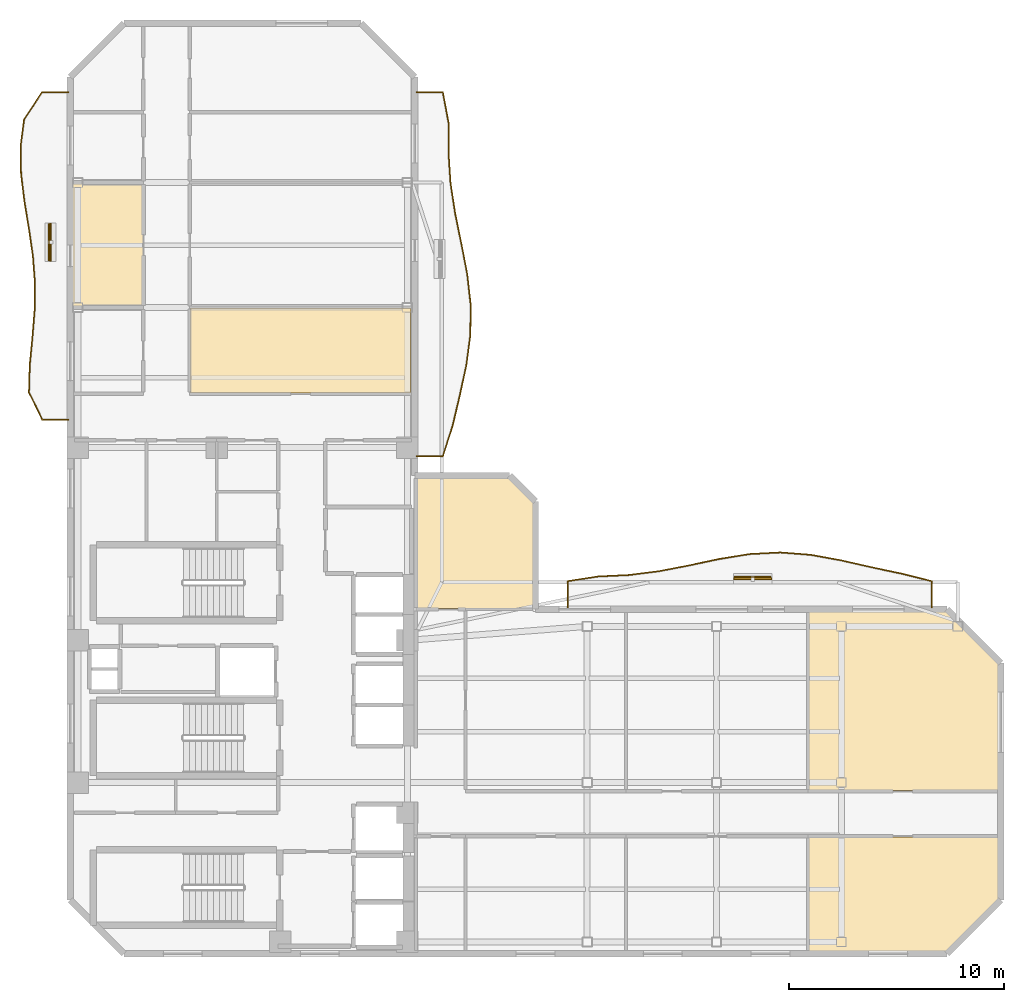
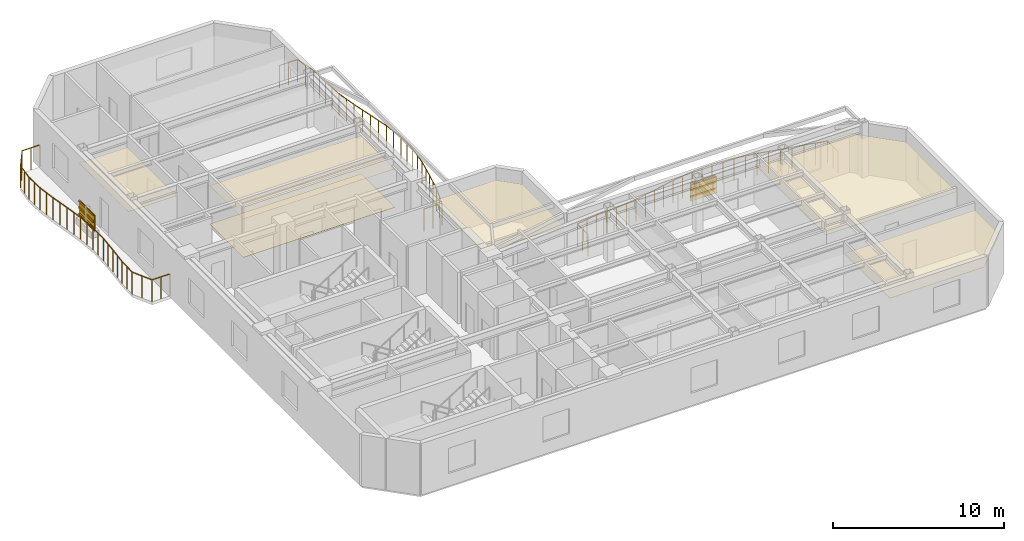
# One storey, part 8 of 9: 8 shading devices, 6 coverings, 3 railings.
"""IFC4 building model written with IfcOpenShell, lengths in metres."""

import ifcopenshell
import ifcopenshell.guid

model = None  # the IFC model being written
_history = None  # IfcOwnerHistory: only IFC2X3 demands one
_inside = {}  # id of a spatial element -> (the spatial element, [elements in it])
_under = {}  # id of a project, library or spatial element -> (it, [spatial elements below it])
_declared = {}  # id of a project -> (the project, [libraries it declares])
_typed = {}  # id of a type object -> (the type object, [elements of that type])
_made_of = {}  # id of a material, layer set ... -> (it, [elements and type objects made of it])


def new_model(schema):
    """Start an empty IFC model of exactly this schema.

    Asked for "IFC4X3", IfcOpenShell would pick the latest addendum, in which some entities
    have other attributes; the version numbers below select the first issue.
    IFC2X3 requires an IfcOwnerHistory on every rooted entity: one is made here for all.
    """
    global model, _history
    if schema == "IFC4X3":
        model = ifcopenshell.file(schema_version=(4, 3, 0, 0))
    else:
        model = ifcopenshell.file(schema=schema)
    _inside.clear()
    _under.clear()
    _declared.clear()
    _typed.clear()
    _made_of.clear()
    _history = None
    if model.schema == "IFC2X3":
        org = make("IfcOrganization", Name="unknown")
        user = make(
            "IfcPersonAndOrganization",
            ThePerson=make("IfcPerson", FamilyName="unknown"),
            TheOrganization=org,
        )
        app = make(
            "IfcApplication",
            ApplicationDeveloper=org,
            Version="unknown",
            ApplicationFullName="unknown",
            ApplicationIdentifier="unknown",
        )
        _history = make(
            "IfcOwnerHistory",
            OwningUser=user,
            OwningApplication=app,
            ChangeAction="ADDED",
            CreationDate=0,
        )
    return model


def make(cls, **values):
    """One entity of the class cls with the attributes given. An attribute that is None is left unset."""
    return model.create_entity(
        cls, **{name: value for name, value in values.items() if value is not None}
    )


def rooted(cls, **values):
    """An entity with a GlobalId (a new one), such as an element, a storey or a relation."""
    return make(cls, GlobalId=ifcopenshell.guid.new(), OwnerHistory=_history, **values)


def si_unit(unit_type, name, prefix=None):
    """IfcSIUnit, for example si_unit("LENGTHUNIT", "METRE", prefix="MILLI")."""
    return make("IfcSIUnit", UnitType=unit_type, Prefix=prefix, Name=name)


def assignment(units):
    """IfcUnitAssignment: the units of a project."""
    return None if units is None else make("IfcUnitAssignment", Units=units)


def point(xyz):
    """IfcCartesianPoint."""
    return None if xyz is None else make("IfcCartesianPoint", Coordinates=xyz)


def direction(xyz):
    """IfcDirection."""
    return None if xyz is None else make("IfcDirection", DirectionRatios=xyz)


def frame(location, z_axis=None, x_axis=None):
    """IfcAxis2Placement3D, a coordinate frame: its origin and axes. An axis left out is left unset."""
    return make(
        "IfcAxis2Placement3D",
        Location=point(location),
        Axis=direction(z_axis),
        RefDirection=direction(x_axis),
    )


def frame_2d(location, x_axis=None):
    """IfcAxis2Placement2D, a coordinate frame in the plane: its origin and x axis."""
    return make(
        "IfcAxis2Placement2D", Location=point(location), RefDirection=direction(x_axis)
    )


def origin():
    """The frame at (0, 0, 0) with its axes left unset."""
    return frame((0.0, 0.0, 0.0))


def origin_2d():
    """The frame at (0, 0) in the plane with its x axis left unset."""
    return frame_2d((0.0, 0.0))


def place(relative_to, where):
    """IfcLocalPlacement: puts the frame where relative to a parent placement (None: the world)."""
    return make(
        "IfcLocalPlacement", PlacementRelTo=relative_to, RelativePlacement=where
    )


def context(
    kind, dimensions, precision=None, world=None, true_north=None, identifier=None
):
    """IfcGeometricRepresentationContext, for example the 3D "Model" context."""
    return make(
        "IfcGeometricRepresentationContext",
        ContextIdentifier=identifier,
        ContextType=kind,
        CoordinateSpaceDimension=dimensions,
        Precision=precision,
        WorldCoordinateSystem=world,
        TrueNorth=true_north,
    )


def subcontext(parent, identifier, kind, view, scale=None):
    """IfcGeometricRepresentationSubContext, for example "Body" below "Model"."""
    return make(
        "IfcGeometricRepresentationSubContext",
        ContextIdentifier=identifier,
        ContextType=kind,
        ParentContext=parent,
        TargetScale=scale,
        TargetView=view,
    )


def project(units=None, contexts=None):
    """IfcProject with its units and contexts."""
    return rooted(
        "IfcProject",
        Name="project",
        RepresentationContexts=contexts,
        UnitsInContext=assignment(units),
    )


def spatial(cls, under=None, at=None, **own):
    """A site, building, storey or space (cls), placed at a placement, below another one or the project."""
    s = rooted(cls, ObjectPlacement=at, **own)
    if under is not None:
        _under.setdefault(under.id(), (under, []))[1].append(s)
    return s


def polyline(points):
    """IfcPolyline through the points."""
    return make("IfcPolyline", Points=[point(p) for p in points])


def profile(cls, at=None, kind="AREA", **sizes):
    """A parametric profile (cls). Its sizes go by their IFC names, for example OverallWidth=200.0."""
    return make(cls, ProfileType=kind, Position=at, **sizes)


def rectangle(**sizes):
    """IfcRectangleProfileDef."""
    return profile("IfcRectangleProfileDef", **sizes)


def outline(outer, holes=None, kind="AREA"):
    """IfcArbitraryClosedProfileDef: a profile drawn as a closed curve; with holes, ...WithVoids."""
    if holes is None:
        return make("IfcArbitraryClosedProfileDef", ProfileType=kind, OuterCurve=outer)
    return make(
        "IfcArbitraryProfileDefWithVoids",
        ProfileType=kind,
        OuterCurve=outer,
        InnerCurves=holes,
    )


def extrude(swept, where, along, depth):
    """IfcExtrudedAreaSolid: the profile swept, set in the frame where, extruded along a direction by depth."""
    return make(
        "IfcExtrudedAreaSolid",
        SweptArea=swept,
        Position=where,
        ExtrudedDirection=direction(along),
        Depth=depth,
    )


def shape(context_of_items, identifier, shape_type, items):
    """IfcShapeRepresentation: the items that make up one representation, for example the "Body"."""
    return make(
        "IfcShapeRepresentation",
        ContextOfItems=context_of_items,
        RepresentationIdentifier=identifier,
        RepresentationType=shape_type,
        Items=items,
    )


def material(Name=None, Category=None):
    """IfcMaterial."""
    return make("IfcMaterial", Name=Name, Category=Category)


def layer(
    of_material, thickness, ventilated=None, Name=None, Category=None, Priority=None
):
    """IfcMaterialLayer: one layer of a wall or slab, of a material (None: an air gap)."""
    return make(
        "IfcMaterialLayer",
        Material=of_material,
        LayerThickness=thickness,
        IsVentilated=ventilated,
        Name=Name,
        Category=Category,
        Priority=Priority,
    )


def layer_set(layers, Name=None):
    """IfcMaterialLayerSet."""
    return make("IfcMaterialLayerSet", MaterialLayers=layers, LayerSetName=Name)


def material_profile(
    of_material, cross_section, Name=None, Category=None, Priority=None
):
    """IfcMaterialProfile: a cross section and its material."""
    return make(
        "IfcMaterialProfile",
        Name=Name,
        Material=of_material,
        Profile=cross_section,
        Priority=Priority,
        Category=Category,
    )


def profile_set(profiles, Name=None, composite=None):
    """IfcMaterialProfileSet."""
    return make(
        "IfcMaterialProfileSet",
        Name=Name,
        MaterialProfiles=profiles,
        CompositeProfile=composite,
    )


def made_of(thing, what):
    """Note that an element or type object is made of a material, layer set ...; save() writes the relation."""
    if what is not None:
        _made_of.setdefault(what.id(), (what, []))[1].append(thing)
    return thing


def type_object(cls, material=None, **own):
    """A type object (cls), such as IfcWallType, which elements share."""
    return made_of(rooted(cls, **own), material)


def element(
    cls,
    number,
    at=None,
    inside=None,
    cuts=None,
    type_object=None,
    material=None,
    context=None,
    identifier="Body",
    shape_type=None,
    held_by="IfcProductDefinitionShape",
    body=None,
    shapes=None,
    **own,
):
    """One element of the class cls, such as IfcWall. Its Tag is "e" and its number.

    at: its placement. inside: the storey or other place that contains it. cuts: it is an
    opening in that element (IfcRelVoidsElement). A single representation is given by context,
    identifier, shape_type and body (its items); several are given by shapes. held_by: the class
    of the entity that holds the representations. save() writes the other relations.
    """
    e = rooted(cls, Tag="e%d" % number, ObjectPlacement=at, **own)
    if body is not None:
        shapes = [shape(context, identifier, shape_type, body)]
    if shapes is not None:
        e.Representation = make(held_by, Representations=shapes)
    if inside is not None:
        _inside.setdefault(inside.id(), (inside, []))[1].append(e)
    if cuts is not None:
        rooted(
            "IfcRelVoidsElement", RelatingBuildingElement=cuts, RelatedOpeningElement=e
        )
    if type_object is not None:
        _typed.setdefault(type_object.id(), (type_object, []))[1].append(e)
    return made_of(e, material)


def aggregate(whole, parts):
    """IfcRelAggregates: a whole, such as a stair, and the parts it consists of."""
    return rooted("IfcRelAggregates", RelatingObject=whole, RelatedObjects=parts)


def save(model, path):
    """Write the relations noted so far, then the file.

    IfcRelAggregates (storeys below a building ...), IfcRelContainedInSpatialStructure (elements
    in a storey), IfcRelDefinesByType, IfcRelAssociatesMaterial and IfcRelDeclares: one each for
    every whole, place, type object, material and project.
    """
    for whole, parts in _under.values():
        aggregate(whole, parts)
    for where, things in _inside.values():
        rooted(
            "IfcRelContainedInSpatialStructure",
            RelatedElements=things,
            RelatingStructure=where,
        )
    for kind, things in _typed.values():
        rooted("IfcRelDefinesByType", RelatedObjects=things, RelatingType=kind)
    for what, things in _made_of.values():
        rooted("IfcRelAssociatesMaterial", RelatedObjects=things, RelatingMaterial=what)
    for by, libraries in _declared.values():
        rooted("IfcRelDeclares", RelatingContext=by, RelatedDefinitions=libraries)
    model.write(path)


model = new_model("IFC4")

# Units and contexts
model_context = context("Model", 3, precision=1e-05, world=origin(), true_north=direction((0.0, 1.0)))
body_context = subcontext(model_context, "Body", "Model", "MODEL_VIEW")
ifc_project = project(units=[si_unit("LENGTHUNIT", "METRE"), si_unit("AREAUNIT", "SQUARE_METRE"), si_unit("VOLUMEUNIT", "CUBIC_METRE"), si_unit("PLANEANGLEUNIT", "RADIAN"), si_unit("MASSUNIT", "GRAM", prefix="KILO")], contexts=[model_context])

# Site, building, storey
site_placement = place(None, origin())
site = spatial("IfcSite", under=ifc_project, at=site_placement, CompositionType="ELEMENT")
building_placement = place(site_placement, origin())
building = spatial("IfcBuilding", under=site, at=building_placement, Name="Mawjaban Terraces University", CompositionType="ELEMENT")
storey_placement = place(building_placement, frame((0.0, 0.0, 222.60009765625)))
storey = spatial("IfcBuildingStorey", under=building, at=storey_placement, Name="L54", CompositionType="ELEMENT", Elevation=222.60009765625)

# Coverings
ifc_material_1 = material(Name="Acoustic mineral fibre ceiling tile", Category="masonry")
ifc_layer_1 = layer(ifc_material_1, 0.02001953125)
ifc_layer_set_1 = layer_set([ifc_layer_1], Name="Acoustic mineral fibre ceiling tile")
covering_type_1 = type_object("IfcCoveringType", Name="AcousticMineralCeiling_20", PredefinedType="CEILING", material=ifc_layer_set_1)
covering_1_placement = place(storey_placement, frame((0.0, 0.0, 2.75)))
element("IfcCovering", 1, at=covering_1_placement, inside=storey, type_object=covering_type_1, Name="L54 Departmental Office 6 Acoustic Ceiling", PredefinedType="CEILING", context=body_context, shape_type="SweptSolid", body=[
    extrude(outline(polyline([(56.283935546875, 0.114990234375), (62.653076171875, 0.114990234375), (65.0849609375, 2.547119140625), (65.0849609375, 5.419921875), (56.283935546875, 5.419921875), (56.283935546875, 0.114990234375)])), origin(), (0.0, 0.0, 1.0), 0.02001953125),
])
covering_2_placement = place(storey_placement, frame((0.0, 0.0, 2.75)))
element("IfcCovering", 2, at=covering_2_placement, inside=storey, type_object=covering_type_1, Name="L54 Faculty Office 7 Acoustic Ceiling", PredefinedType="CEILING", context=body_context, shape_type="SweptSolid", body=[
    extrude(outline(polyline([(65.0849609375, 7.580078125), (65.0849609375, 13.452880859375), (62.653076171875, 15.885009765625), (56.283935546875, 15.885009765625), (56.283935546875, 7.580078125), (65.0849609375, 7.580078125)])), origin(), (0.0, 0.0, 1.0), 0.02001953125),
])
covering_3_placement = place(storey_placement, frame((0.0, 0.0, 2.75)))
element("IfcCovering", 3, at=covering_3_placement, inside=storey, type_object=covering_type_1, Name="L54 Quiet Reading Room 9 Acoustic Ceiling", PredefinedType="CEILING", context=body_context, shape_type="SweptSolid", body=[
    extrude(outline(polyline([(37.820068359375, 26.030029296875), (37.820068359375, 29.969970703125), (27.580078125, 29.969970703125), (27.580078125, 26.030029296875), (37.820068359375, 26.030029296875)])), origin(), (0.0, 0.0, 1.0), 0.02001953125),
])
covering_4_placement = place(storey_placement, frame((0.0, 0.0, 2.75)))
element("IfcCovering", 4, at=covering_4_placement, inside=storey, type_object=covering_type_1, Name="L54 Media Workshop 10 Acoustic Ceiling", PredefinedType="CEILING", context=body_context, shape_type="SweptSolid", body=[
    extrude(outline(polyline([(22.114990234375, 35.77001953125), (22.114990234375, 30.030029296875), (25.3701171875, 30.030029296875), (25.3701171875, 35.77001953125), (22.114990234375, 35.77001953125)])), origin(), (0.0, 0.0, 1.0), 0.02001953125),
])
covering_5_placement = place(storey_placement, frame((0.0, 0.0, 2.75)))
element("IfcCovering", 5, at=covering_5_placement, inside=storey, type_object=covering_type_1, Name="L54 Terrace Collaborative Study Room Acoustic Ceiling", PredefinedType="CEILING", context=body_context, shape_type="SweptSolid", body=[
    extrude(outline(polyline([(43.485107421875, 16.030029296875), (43.485107421875, 20.952880859375), (42.35302734375, 22.0849609375), (38.080078125, 22.0849609375), (38.080078125, 16.030029296875), (43.485107421875, 16.030029296875)])), origin(), (0.0, 0.0, 1.0), 0.02001953125),
])

# Railings
ifc_material_2 = material(Name="Galvanised powder-coated steel S355", Category="steel")
railing_type = type_object("IfcRailingType", Name="BalconyBalustrade_1600", PredefinedType="BALUSTRADE", material=ifc_material_2)
railing_1_placement = place(storey_placement, frame((21.919921875, 24.800048828125, 0.0)))
element("IfcRailing", 6, at=railing_1_placement, inside=storey, type_object=railing_type, Name="L54 Balcony Guardrail west", PredefinedType="BALUSTRADE", context=body_context, shape_type="SweptSolid", body=[
    extrude(rectangle(XDim=0.048095703125, YDim=0.048095703125, at=origin_2d()), frame((0.0, 0.0, 1.576171875), z_axis=(-1.0, 0.0, 0.0), x_axis=(0.0, -1.0, 0.0)), (0.0, 0.0, 1.0), 1.219970703125),
    extrude(rectangle(XDim=0.048095703125, YDim=0.048095703125, at=origin_2d()), frame((-1.219970703125, 0.0, 1.576171875), z_axis=(-0.436711577164, 0.899601577572, 0.0), x_axis=(-0.899601577572, -0.436711577164, 0.0)), (0.0, 0.0, 1.0), 1.408203125),
    extrude(rectangle(XDim=0.048095703125, YDim=0.048095703125, at=origin_2d()), frame((-1.8349609375, 1.266845703125, 1.576171875), z_axis=(0.028526758258, 0.999593029219, 0.0), x_axis=(-0.999593029219, 0.028526758258, 0.0)), (0.0, 0.0, 1.0), 1.2666015625),
    extrude(rectangle(XDim=0.048095703125, YDim=0.048095703125, at=origin_2d()), frame((-1.798828125, 2.532958984375, 1.576171875), z_axis=(0.096465161819, 0.995336361516, 0.0), x_axis=(-0.995336361516, 0.096465161819, 0.0)), (0.0, 0.0, 1.0), 1.27294921875),
    extrude(rectangle(XDim=0.048095703125, YDim=0.048095703125, at=origin_2d()), frame((-1.676025390625, 3.800048828125, 1.576171875), z_axis=(0.081058267837, 0.996709364467, 0.0), x_axis=(-0.996709364467, 0.081058267837, 0.0)), (0.0, 0.0, 1.0), 1.27099609375),
    extrude(rectangle(XDim=0.048095703125, YDim=0.048095703125, at=origin_2d()), frame((-1.572998046875, 5.06689453125, 1.576171875), z_axis=(0.011954409891, 0.999928543489, 0.0), x_axis=(-0.999928543489, 0.011954409891, 0.0)), (0.0, 0.0, 1.0), 1.26611328125),
    extrude(rectangle(XDim=0.048095703125, YDim=0.048095703125, at=origin_2d()), frame((-1.557861328125, 6.3330078125, 1.576171875), z_axis=(-0.075520847881, 0.997144223037, 0.0), x_axis=(-0.997144223037, -0.075520847881, 0.0)), (0.0, 0.0, 1.0), 1.2705078125),
    extrude(rectangle(XDim=0.048095703125, YDim=0.048095703125, at=origin_2d()), frame((-1.65380859375, 7.599853515625, 1.576171875), z_axis=(-0.143770092733, 0.98961111576, 0.0), x_axis=(-0.98961111576, -0.143770092733, 0.0)), (0.0, 0.0, 1.0), 1.2802734375),
    extrude(rectangle(XDim=0.048095703125, YDim=0.048095703125, at=origin_2d()), frame((-1.837890625, 8.866943359375, 1.576171875), z_axis=(-0.163596886626, 0.986527272145, 0.0), x_axis=(-0.986527272145, -0.163596886626, 0.0)), (0.0, 0.0, 1.0), 1.283447265625),
    extrude(rectangle(XDim=0.048095703125, YDim=0.048095703125, at=origin_2d()), frame((-2.0478515625, 10.133056640625, 1.576171875), z_axis=(-0.120714143885, 0.992687310016, 0.0), x_axis=(-0.992687310016, -0.120714143885, 0.0)), (0.0, 0.0, 1.0), 1.276123046875),
    extrude(rectangle(XDim=0.048095703125, YDim=0.048095703125, at=origin_2d()), frame((-2.201904296875, 11.39990234375, 1.576171875), z_axis=(-0.018879100933, 0.999821773892, 0.0), x_axis=(-0.999821773892, -0.018879100933, 0.0)), (0.0, 0.0, 1.0), 1.267333984375),
    extrude(rectangle(XDim=0.048095703125, YDim=0.048095703125, at=origin_2d()), frame((-2.225830078125, 12.6669921875, 1.576171875), z_axis=(0.129093896375, 0.99163237438, 0.0), x_axis=(-0.99163237438, 0.129093896375, 0.0)), (0.0, 0.0, 1.0), 1.276611328125),
    extrude(rectangle(XDim=0.048095703125, YDim=0.048095703125, at=origin_2d()), frame((-2.06103515625, 13.932861328125, 1.576171875), z_axis=(0.553032021961, 0.833159998251, 0.0), x_axis=(-0.833159998251, 0.553032021961, 0.0)), (0.0, 0.0, 1.0), 1.520751953125),
    extrude(rectangle(XDim=0.048095703125, YDim=0.048095703125, at=origin_2d()), frame((-1.219970703125, 15.199951171875, 1.576171875), z_axis=(1.0, 0.0, 0.0), x_axis=(0.0, 1.0, 0.0)), (0.0, 0.0, 1.0), 1.219970703125),
    extrude(rectangle(XDim=0.0419921875, YDim=0.0419921875, at=origin_2d()), origin(), (0.0, 0.0, 1.0), 1.552001953125),
    extrude(rectangle(XDim=0.0419921875, YDim=0.0419921875, at=origin_2d()), frame((-0.60986328125, 0.0, 0.0)), (0.0, 0.0, 1.0), 1.552001953125),
    extrude(rectangle(XDim=0.0419921875, YDim=0.0419921875, at=origin_2d()), frame((-1.219970703125, 0.0, 0.0)), (0.0, 0.0, 1.0), 1.552001953125),
    extrude(rectangle(XDim=0.0419921875, YDim=0.0419921875, at=origin_2d()), frame((-1.52734375, 0.63330078125, 0.0)), (0.0, 0.0, 1.0), 1.552001953125),
    extrude(rectangle(XDim=0.0419921875, YDim=0.0419921875, at=origin_2d()), frame((-1.8349609375, 1.266845703125, 0.0)), (0.0, 0.0, 1.0), 1.552001953125),
    extrude(rectangle(XDim=0.0419921875, YDim=0.0419921875, at=origin_2d()), frame((-1.81689453125, 1.89990234375, 0.0)), (0.0, 0.0, 1.0), 1.552001953125),
    extrude(rectangle(XDim=0.0419921875, YDim=0.0419921875, at=origin_2d()), frame((-1.798828125, 2.532958984375, 0.0)), (0.0, 0.0, 1.0), 1.552001953125),
    extrude(rectangle(XDim=0.0419921875, YDim=0.0419921875, at=origin_2d()), frame((-1.7373046875, 3.16650390625, 0.0)), (0.0, 0.0, 1.0), 1.552001953125),
    extrude(rectangle(XDim=0.0419921875, YDim=0.0419921875, at=origin_2d()), frame((-1.676025390625, 3.800048828125, 0.0)), (0.0, 0.0, 1.0), 1.552001953125),
    extrude(rectangle(XDim=0.0419921875, YDim=0.0419921875, at=origin_2d()), frame((-1.62451171875, 4.43359375, 0.0)), (0.0, 0.0, 1.0), 1.552001953125),
    extrude(rectangle(XDim=0.0419921875, YDim=0.0419921875, at=origin_2d()), frame((-1.572998046875, 5.06689453125, 0.0)), (0.0, 0.0, 1.0), 1.552001953125),
    extrude(rectangle(XDim=0.0419921875, YDim=0.0419921875, at=origin_2d()), frame((-1.5654296875, 5.699951171875, 0.0)), (0.0, 0.0, 1.0), 1.552001953125),
    extrude(rectangle(XDim=0.0419921875, YDim=0.0419921875, at=origin_2d()), frame((-1.557861328125, 6.3330078125, 0.0)), (0.0, 0.0, 1.0), 1.552001953125),
    extrude(rectangle(XDim=0.0419921875, YDim=0.0419921875, at=origin_2d()), frame((-1.60595703125, 6.96630859375, 0.0)), (0.0, 0.0, 1.0), 1.552001953125),
    extrude(rectangle(XDim=0.0419921875, YDim=0.0419921875, at=origin_2d()), frame((-1.65380859375, 7.599853515625, 0.0)), (0.0, 0.0, 1.0), 1.552001953125),
    extrude(rectangle(XDim=0.0419921875, YDim=0.0419921875, at=origin_2d()), frame((-1.745849609375, 8.2333984375, 0.0)), (0.0, 0.0, 1.0), 1.552001953125),
    extrude(rectangle(XDim=0.0419921875, YDim=0.0419921875, at=origin_2d()), frame((-1.837890625, 8.866943359375, 0.0)), (0.0, 0.0, 1.0), 1.552001953125),
    extrude(rectangle(XDim=0.0419921875, YDim=0.0419921875, at=origin_2d()), frame((-1.94287109375, 9.5, 0.0)), (0.0, 0.0, 1.0), 1.552001953125),
    extrude(rectangle(XDim=0.0419921875, YDim=0.0419921875, at=origin_2d()), frame((-2.0478515625, 10.133056640625, 0.0)), (0.0, 0.0, 1.0), 1.552001953125),
    extrude(rectangle(XDim=0.0419921875, YDim=0.0419921875, at=origin_2d()), frame((-2.125, 10.7666015625, 0.0)), (0.0, 0.0, 1.0), 1.552001953125),
    extrude(rectangle(XDim=0.0419921875, YDim=0.0419921875, at=origin_2d()), frame((-2.201904296875, 11.39990234375, 0.0)), (0.0, 0.0, 1.0), 1.552001953125),
    extrude(rectangle(XDim=0.0419921875, YDim=0.0419921875, at=origin_2d()), frame((-2.2138671875, 12.033447265625, 0.0)), (0.0, 0.0, 1.0), 1.552001953125),
    extrude(rectangle(XDim=0.0419921875, YDim=0.0419921875, at=origin_2d()), frame((-2.225830078125, 12.6669921875, 0.0)), (0.0, 0.0, 1.0), 1.552001953125),
    extrude(rectangle(XDim=0.0419921875, YDim=0.0419921875, at=origin_2d()), frame((-2.1435546875, 13.2998046875, 0.0)), (0.0, 0.0, 1.0), 1.552001953125),
    extrude(rectangle(XDim=0.0419921875, YDim=0.0419921875, at=origin_2d()), frame((-2.06103515625, 13.932861328125, 0.0)), (0.0, 0.0, 1.0), 1.552001953125),
    extrude(rectangle(XDim=0.0419921875, YDim=0.0419921875, at=origin_2d()), frame((-1.640625, 14.56640625, 0.0)), (0.0, 0.0, 1.0), 1.552001953125),
    extrude(rectangle(XDim=0.0419921875, YDim=0.0419921875, at=origin_2d()), frame((-1.219970703125, 15.199951171875, 0.0)), (0.0, 0.0, 1.0), 1.552001953125),
    extrude(rectangle(XDim=0.0419921875, YDim=0.0419921875, at=origin_2d()), frame((-0.60986328125, 15.199951171875, 0.0)), (0.0, 0.0, 1.0), 1.552001953125),
    extrude(rectangle(XDim=0.0419921875, YDim=0.0419921875, at=origin_2d()), frame((0.0, 15.199951171875, 0.0)), (0.0, 0.0, 1.0), 1.552001953125),
])
railing_2_placement = place(storey_placement, frame((45.10009765625, 16.080078125, 0.0)))
element("IfcRailing", 7, at=railing_2_placement, inside=storey, type_object=railing_type, Name="L54 Balcony Guardrail inner_north", PredefinedType="BALUSTRADE", context=body_context, shape_type="SweptSolid", body=[
    extrude(rectangle(XDim=0.048095703125, YDim=0.048095703125, at=origin_2d()), frame((0.0, 0.0, 1.576171875), z_axis=(0.0, 1.0, 0.0), x_axis=(-1.0, 0.0, 0.0)), (0.0, 0.0, 1.0), 1.219970703125),
    extrude(rectangle(XDim=0.048095703125, YDim=0.048095703125, at=origin_2d()), frame((0.0, 1.219970703125, 1.576171875), z_axis=(0.988118782018, 0.153692135854, 0.0), x_axis=(-0.153692135854, 0.988118782018, 0.0)), (0.0, 0.0, 1.0), 1.4248046875),
    extrude(rectangle(XDim=0.048095703125, YDim=0.048095703125, at=origin_2d()), frame((1.407958984375, 1.43896484375, 1.576171875), z_axis=(0.99890734482, 0.046734531815, 0.0), x_axis=(-0.046734531815, 0.99890734482, 0.0)), (0.0, 0.0, 1.0), 1.410400390625),
    extrude(rectangle(XDim=0.048095703125, YDim=0.048095703125, at=origin_2d()), frame((2.81689453125, 1.5048828125, 1.576171875), z_axis=(0.992359726321, 0.123378173014, 0.0), x_axis=(-0.123378173014, 0.992359726321, 0.0)), (0.0, 0.0, 1.0), 1.418701171875),
    extrude(rectangle(XDim=0.048095703125, YDim=0.048095703125, at=origin_2d()), frame((4.224853515625, 1.679931640625, 1.576171875), z_axis=(0.981722436105, 0.190318308231, 0.0), x_axis=(-0.190318308231, 0.981722436105, 0.0)), (0.0, 0.0, 1.0), 1.43408203125),
    extrude(rectangle(XDim=0.048095703125, YDim=0.048095703125, at=origin_2d()), frame((5.6328125, 1.952880859375, 1.576171875), z_axis=(0.978074361149, 0.208255958048, 0.0), x_axis=(-0.208255958048, 0.978074361149, 0.0)), (0.0, 0.0, 1.0), 1.440673828125),
    extrude(rectangle(XDim=0.048095703125, YDim=0.048095703125, at=origin_2d()), frame((7.0419921875, 2.2529296875, 1.576171875), z_axis=(0.98735287322, 0.158538019872, 0.0), x_axis=(-0.158538019872, 0.98735287322, 0.0)), (0.0, 0.0, 1.0), 1.426025390625),
    extrude(rectangle(XDim=0.048095703125, YDim=0.048095703125, at=origin_2d()), frame((8.449951171875, 2.47900390625, 1.576171875), z_axis=(0.998622608665, 0.052467947013, 0.0), x_axis=(-0.052467947013, 0.998622608665, 0.0)), (0.0, 0.0, 1.0), 1.409912109375),
    extrude(rectangle(XDim=0.048095703125, YDim=0.048095703125, at=origin_2d()), frame((9.85791015625, 2.552978515625, 1.576171875), z_axis=(0.99706666856, -0.076537954284, 0.0), x_axis=(0.076537954284, 0.99706666856, 0.0)), (0.0, 0.0, 1.0), 1.4130859375),
    extrude(rectangle(XDim=0.048095703125, YDim=0.048095703125, at=origin_2d()), frame((11.266845703125, 2.44482421875, 1.576171875), z_axis=(0.98400612529, -0.178134627155, 0.0), x_axis=(0.178134627155, 0.98400612529, 0.0)), (0.0, 0.0, 1.0), 1.430908203125),
    extrude(rectangle(XDim=0.048095703125, YDim=0.048095703125, at=origin_2d()), frame((12.6748046875, 2.18994140625, 1.576171875), z_axis=(0.974983194188, -0.222278588828, 0.0), x_axis=(0.222278588828, 0.974983194188, 0.0)), (0.0, 0.0, 1.0), 1.4443359375),
    extrude(rectangle(XDim=0.048095703125, YDim=0.048095703125, at=origin_2d()), frame((14.0830078125, 1.868896484375, 1.576171875), z_axis=(0.978342441345, -0.206992916458, 0.0), x_axis=(0.206992916458, 0.978342441345, 0.0)), (0.0, 0.0, 1.0), 1.440185546875),
    extrude(rectangle(XDim=0.048095703125, YDim=0.048095703125, at=origin_2d()), frame((15.491943359375, 1.57080078125, 1.576171875), z_axis=(0.970330258953, -0.241783350462, 0.0), x_axis=(0.241783350462, 0.970330258953, 0.0)), (0.0, 0.0, 1.0), 1.450927734375),
    extrude(rectangle(XDim=0.048095703125, YDim=0.048095703125, at=origin_2d()), frame((16.89990234375, 1.219970703125, 1.576171875), z_axis=(0.0, -1.0, 0.0), x_axis=(1.0, 0.0, 0.0)), (0.0, 0.0, 1.0), 1.219970703125),
    extrude(rectangle(XDim=0.0419921875, YDim=0.0419921875, at=origin_2d()), origin(), (0.0, 0.0, 1.0), 1.552001953125),
    extrude(rectangle(XDim=0.0419921875, YDim=0.0419921875, at=origin_2d()), frame((0.0, 0.60986328125, 0.0)), (0.0, 0.0, 1.0), 1.552001953125),
    extrude(rectangle(XDim=0.0419921875, YDim=0.0419921875, at=origin_2d()), frame((0.0, 1.219970703125, 0.0)), (0.0, 0.0, 1.0), 1.552001953125),
    extrude(rectangle(XDim=0.0419921875, YDim=0.0419921875, at=origin_2d()), frame((0.7041015625, 1.32958984375, 0.0)), (0.0, 0.0, 1.0), 1.552001953125),
    extrude(rectangle(XDim=0.0419921875, YDim=0.0419921875, at=origin_2d()), frame((1.407958984375, 1.43896484375, 0.0)), (0.0, 0.0, 1.0), 1.552001953125),
    extrude(rectangle(XDim=0.0419921875, YDim=0.0419921875, at=origin_2d()), frame((2.1123046875, 1.471923828125, 0.0)), (0.0, 0.0, 1.0), 1.552001953125),
    extrude(rectangle(XDim=0.0419921875, YDim=0.0419921875, at=origin_2d()), frame((2.81689453125, 1.5048828125, 0.0)), (0.0, 0.0, 1.0), 1.552001953125),
    extrude(rectangle(XDim=0.0419921875, YDim=0.0419921875, at=origin_2d()), frame((3.52099609375, 1.59228515625, 0.0)), (0.0, 0.0, 1.0), 1.552001953125),
    extrude(rectangle(XDim=0.0419921875, YDim=0.0419921875, at=origin_2d()), frame((4.224853515625, 1.679931640625, 0.0)), (0.0, 0.0, 1.0), 1.552001953125),
    extrude(rectangle(XDim=0.0419921875, YDim=0.0419921875, at=origin_2d()), frame((4.9287109375, 1.81640625, 0.0)), (0.0, 0.0, 1.0), 1.552001953125),
    extrude(rectangle(XDim=0.0419921875, YDim=0.0419921875, at=origin_2d()), frame((5.6328125, 1.952880859375, 0.0)), (0.0, 0.0, 1.0), 1.552001953125),
    extrude(rectangle(XDim=0.0419921875, YDim=0.0419921875, at=origin_2d()), frame((6.33740234375, 2.10302734375, 0.0)), (0.0, 0.0, 1.0), 1.552001953125),
    extrude(rectangle(XDim=0.0419921875, YDim=0.0419921875, at=origin_2d()), frame((7.0419921875, 2.2529296875, 0.0)), (0.0, 0.0, 1.0), 1.552001953125),
    extrude(rectangle(XDim=0.0419921875, YDim=0.0419921875, at=origin_2d()), frame((7.74609375, 2.365966796875, 0.0)), (0.0, 0.0, 1.0), 1.552001953125),
    extrude(rectangle(XDim=0.0419921875, YDim=0.0419921875, at=origin_2d()), frame((8.449951171875, 2.47900390625, 0.0)), (0.0, 0.0, 1.0), 1.552001953125),
    extrude(rectangle(XDim=0.0419921875, YDim=0.0419921875, at=origin_2d()), frame((9.15380859375, 2.51611328125, 0.0)), (0.0, 0.0, 1.0), 1.552001953125),
    extrude(rectangle(XDim=0.0419921875, YDim=0.0419921875, at=origin_2d()), frame((9.85791015625, 2.552978515625, 0.0)), (0.0, 0.0, 1.0), 1.552001953125),
    extrude(rectangle(XDim=0.0419921875, YDim=0.0419921875, at=origin_2d()), frame((10.5625, 2.4990234375, 0.0)), (0.0, 0.0, 1.0), 1.552001953125),
    extrude(rectangle(XDim=0.0419921875, YDim=0.0419921875, at=origin_2d()), frame((11.266845703125, 2.44482421875, 0.0)), (0.0, 0.0, 1.0), 1.552001953125),
    extrude(rectangle(XDim=0.0419921875, YDim=0.0419921875, at=origin_2d()), frame((11.970703125, 2.3173828125, 0.0)), (0.0, 0.0, 1.0), 1.552001953125),
    extrude(rectangle(XDim=0.0419921875, YDim=0.0419921875, at=origin_2d()), frame((12.6748046875, 2.18994140625, 0.0)), (0.0, 0.0, 1.0), 1.552001953125),
    extrude(rectangle(XDim=0.0419921875, YDim=0.0419921875, at=origin_2d()), frame((13.37890625, 2.029296875, 0.0)), (0.0, 0.0, 1.0), 1.552001953125),
    extrude(rectangle(XDim=0.0419921875, YDim=0.0419921875, at=origin_2d()), frame((14.0830078125, 1.868896484375, 0.0)), (0.0, 0.0, 1.0), 1.552001953125),
    extrude(rectangle(XDim=0.0419921875, YDim=0.0419921875, at=origin_2d()), frame((14.78759765625, 1.7197265625, 0.0)), (0.0, 0.0, 1.0), 1.552001953125),
    extrude(rectangle(XDim=0.0419921875, YDim=0.0419921875, at=origin_2d()), frame((15.491943359375, 1.57080078125, 0.0)), (0.0, 0.0, 1.0), 1.552001953125),
    extrude(rectangle(XDim=0.0419921875, YDim=0.0419921875, at=origin_2d()), frame((16.19580078125, 1.3955078125, 0.0)), (0.0, 0.0, 1.0), 1.552001953125),
    extrude(rectangle(XDim=0.0419921875, YDim=0.0419921875, at=origin_2d()), frame((16.89990234375, 1.219970703125, 0.0)), (0.0, 0.0, 1.0), 1.552001953125),
    extrude(rectangle(XDim=0.0419921875, YDim=0.0419921875, at=origin_2d()), frame((16.89990234375, 0.60986328125, 0.0)), (0.0, 0.0, 1.0), 1.552001953125),
    extrude(rectangle(XDim=0.0419921875, YDim=0.0419921875, at=origin_2d()), frame((16.89990234375, 0.0, 0.0)), (0.0, 0.0, 1.0), 1.552001953125),
])
railing_3_placement = place(storey_placement, frame((38.080078125, 23.10009765625, 0.0)))
element("IfcRailing", 8, at=railing_3_placement, inside=storey, type_object=railing_type, Name="L54 Balcony Guardrail inner_east", PredefinedType="BALUSTRADE", context=body_context, shape_type="SweptSolid", body=[
    extrude(rectangle(XDim=0.048095703125, YDim=0.048095703125, at=origin_2d()), frame((0.0, 0.0, 1.576171875), z_axis=(1.0, 0.0, 0.0), x_axis=(0.0, 1.0, 0.0)), (0.0, 0.0, 1.0), 1.219970703125),
    extrude(rectangle(XDim=0.048095703125, YDim=0.048095703125, at=origin_2d()), frame((1.219970703125, 0.0, 1.576171875), z_axis=(0.306206877459, 0.951964993157, 0.0), x_axis=(-0.951964993157, 0.306206877459, 0.0)), (0.0, 0.0, 1.0), 1.47900390625),
    extrude(rectangle(XDim=0.048095703125, YDim=0.048095703125, at=origin_2d()), frame((1.6728515625, 1.407958984375, 1.576171875), z_axis=(0.230655441366, 0.97303549132, 0.0), x_axis=(-0.97303549132, 0.230655441366, 0.0)), (0.0, 0.0, 1.0), 1.447998046875),
    extrude(rectangle(XDim=0.048095703125, YDim=0.048095703125, at=origin_2d()), frame((2.0068359375, 2.81689453125, 1.576171875), z_axis=(0.21118399882, 0.977446325198, 0.0), x_axis=(-0.977446325198, 0.21118399882, 0.0)), (0.0, 0.0, 1.0), 1.4404296875),
    extrude(rectangle(XDim=0.048095703125, YDim=0.048095703125, at=origin_2d()), frame((2.31103515625, 4.224853515625, 1.576171875), z_axis=(0.132343849048, 0.99120386683, 0.0), x_axis=(-0.99120386683, 0.132343849048, 0.0)), (0.0, 0.0, 1.0), 1.42041015625),
    extrude(rectangle(XDim=0.048095703125, YDim=0.048095703125, at=origin_2d()), frame((2.4990234375, 5.6328125, 1.576171875), z_axis=(0.009181872111, 0.999957845724, 0.0), x_axis=(-0.999957845724, 0.009181872111, 0.0)), (0.0, 0.0, 1.0), 1.4091796875),
    extrude(rectangle(XDim=0.048095703125, YDim=0.048095703125, at=origin_2d()), frame((2.511962890625, 7.0419921875, 1.576171875), z_axis=(-0.11217122754, 0.993688892819, 0.0), x_axis=(-0.993688892819, -0.11217122754, 0.0)), (0.0, 0.0, 1.0), 1.4169921875),
    extrude(rectangle(XDim=0.048095703125, YDim=0.048095703125, at=origin_2d()), frame((2.35302734375, 8.449951171875, 1.576171875), z_axis=(-0.189826041236, 0.98181773974, 0.0), x_axis=(-0.98181773974, -0.189826041236, 0.0)), (0.0, 0.0, 1.0), 1.43408203125),
    extrude(rectangle(XDim=0.048095703125, YDim=0.048095703125, at=origin_2d()), frame((2.080810546875, 9.85791015625, 1.576171875), z_axis=(-0.200162907696, 0.979762629611, 0.0), x_axis=(-0.979762629611, -0.200162907696, 0.0)), (0.0, 0.0, 1.0), 1.43798828125),
    extrude(rectangle(XDim=0.048095703125, YDim=0.048095703125, at=origin_2d()), frame((1.79296875, 11.266845703125, 1.576171875), z_axis=(-0.151013766641, 0.988531659728, 0.0), x_axis=(-0.988531659728, -0.151013766641, 0.0)), (0.0, 0.0, 1.0), 1.42431640625),
    extrude(rectangle(XDim=0.048095703125, YDim=0.048095703125, at=origin_2d()), frame((1.577880859375, 12.6748046875, 1.576171875), z_axis=(-0.06591045966, 0.997825541519, 0.0), x_axis=(-0.997825541519, -0.06591045966, 0.0)), (0.0, 0.0, 1.0), 1.411376953125),
    extrude(rectangle(XDim=0.048095703125, YDim=0.048095703125, at=origin_2d()), frame((1.48486328125, 14.0830078125, 1.576171875), z_axis=(-0.001386240221, 0.999999039169, 0.0), x_axis=(-0.999999039169, -0.001386240221, 0.0)), (0.0, 0.0, 1.0), 1.408935546875),
    extrude(rectangle(XDim=0.048095703125, YDim=0.048095703125, at=origin_2d()), frame((1.48291015625, 15.491943359375, 1.576171875), z_axis=(-0.183578371424, 0.98300507707, 0.0), x_axis=(-0.98300507707, -0.183578371424, 0.0)), (0.0, 0.0, 1.0), 1.432373046875),
    extrude(rectangle(XDim=0.048095703125, YDim=0.048095703125, at=origin_2d()), frame((1.219970703125, 16.89990234375, 1.576171875), z_axis=(-1.0, 0.0, 0.0), x_axis=(0.0, -1.0, 0.0)), (0.0, 0.0, 1.0), 1.219970703125),
    extrude(rectangle(XDim=0.0419921875, YDim=0.0419921875, at=origin_2d()), origin(), (0.0, 0.0, 1.0), 1.552001953125),
    extrude(rectangle(XDim=0.0419921875, YDim=0.0419921875, at=origin_2d()), frame((0.60986328125, 0.0, 0.0)), (0.0, 0.0, 1.0), 1.552001953125),
    extrude(rectangle(XDim=0.0419921875, YDim=0.0419921875, at=origin_2d()), frame((1.219970703125, 0.0, 0.0)), (0.0, 0.0, 1.0), 1.552001953125),
    extrude(rectangle(XDim=0.0419921875, YDim=0.0419921875, at=origin_2d()), frame((1.4462890625, 0.7041015625, 0.0)), (0.0, 0.0, 1.0), 1.552001953125),
    extrude(rectangle(XDim=0.0419921875, YDim=0.0419921875, at=origin_2d()), frame((1.6728515625, 1.407958984375, 0.0)), (0.0, 0.0, 1.0), 1.552001953125),
    extrude(rectangle(XDim=0.0419921875, YDim=0.0419921875, at=origin_2d()), frame((1.83984375, 2.1123046875, 0.0)), (0.0, 0.0, 1.0), 1.552001953125),
    extrude(rectangle(XDim=0.0419921875, YDim=0.0419921875, at=origin_2d()), frame((2.0068359375, 2.81689453125, 0.0)), (0.0, 0.0, 1.0), 1.552001953125),
    extrude(rectangle(XDim=0.0419921875, YDim=0.0419921875, at=origin_2d()), frame((2.158935546875, 3.52099609375, 0.0)), (0.0, 0.0, 1.0), 1.552001953125),
    extrude(rectangle(XDim=0.0419921875, YDim=0.0419921875, at=origin_2d()), frame((2.31103515625, 4.224853515625, 0.0)), (0.0, 0.0, 1.0), 1.552001953125),
    extrude(rectangle(XDim=0.0419921875, YDim=0.0419921875, at=origin_2d()), frame((2.405029296875, 4.9287109375, 0.0)), (0.0, 0.0, 1.0), 1.552001953125),
    extrude(rectangle(XDim=0.0419921875, YDim=0.0419921875, at=origin_2d()), frame((2.4990234375, 5.6328125, 0.0)), (0.0, 0.0, 1.0), 1.552001953125),
    extrude(rectangle(XDim=0.0419921875, YDim=0.0419921875, at=origin_2d()), frame((2.50537109375, 6.33740234375, 0.0)), (0.0, 0.0, 1.0), 1.552001953125),
    extrude(rectangle(XDim=0.0419921875, YDim=0.0419921875, at=origin_2d()), frame((2.511962890625, 7.0419921875, 0.0)), (0.0, 0.0, 1.0), 1.552001953125),
    extrude(rectangle(XDim=0.0419921875, YDim=0.0419921875, at=origin_2d()), frame((2.4326171875, 7.74609375, 0.0)), (0.0, 0.0, 1.0), 1.552001953125),
    extrude(rectangle(XDim=0.0419921875, YDim=0.0419921875, at=origin_2d()), frame((2.35302734375, 8.449951171875, 0.0)), (0.0, 0.0, 1.0), 1.552001953125),
    extrude(rectangle(XDim=0.0419921875, YDim=0.0419921875, at=origin_2d()), frame((2.216796875, 9.15380859375, 0.0)), (0.0, 0.0, 1.0), 1.552001953125),
    extrude(rectangle(XDim=0.0419921875, YDim=0.0419921875, at=origin_2d()), frame((2.080810546875, 9.85791015625, 0.0)), (0.0, 0.0, 1.0), 1.552001953125),
    extrude(rectangle(XDim=0.0419921875, YDim=0.0419921875, at=origin_2d()), frame((1.93701171875, 10.5625, 0.0)), (0.0, 0.0, 1.0), 1.552001953125),
    extrude(rectangle(XDim=0.0419921875, YDim=0.0419921875, at=origin_2d()), frame((1.79296875, 11.266845703125, 0.0)), (0.0, 0.0, 1.0), 1.552001953125),
    extrude(rectangle(XDim=0.0419921875, YDim=0.0419921875, at=origin_2d()), frame((1.685546875, 11.970703125, 0.0)), (0.0, 0.0, 1.0), 1.552001953125),
    extrude(rectangle(XDim=0.0419921875, YDim=0.0419921875, at=origin_2d()), frame((1.577880859375, 12.6748046875, 0.0)), (0.0, 0.0, 1.0), 1.552001953125),
    extrude(rectangle(XDim=0.0419921875, YDim=0.0419921875, at=origin_2d()), frame((1.53125, 13.37890625, 0.0)), (0.0, 0.0, 1.0), 1.552001953125),
    extrude(rectangle(XDim=0.0419921875, YDim=0.0419921875, at=origin_2d()), frame((1.48486328125, 14.0830078125, 0.0)), (0.0, 0.0, 1.0), 1.552001953125),
    extrude(rectangle(XDim=0.0419921875, YDim=0.0419921875, at=origin_2d()), frame((1.48388671875, 14.78759765625, 0.0)), (0.0, 0.0, 1.0), 1.552001953125),
    extrude(rectangle(XDim=0.0419921875, YDim=0.0419921875, at=origin_2d()), frame((1.48291015625, 15.491943359375, 0.0)), (0.0, 0.0, 1.0), 1.552001953125),
    extrude(rectangle(XDim=0.0419921875, YDim=0.0419921875, at=origin_2d()), frame((1.3515625, 16.19580078125, 0.0)), (0.0, 0.0, 1.0), 1.552001953125),
    extrude(rectangle(XDim=0.0419921875, YDim=0.0419921875, at=origin_2d()), frame((1.219970703125, 16.89990234375, 0.0)), (0.0, 0.0, 1.0), 1.552001953125),
    extrude(rectangle(XDim=0.0419921875, YDim=0.0419921875, at=origin_2d()), frame((0.60986328125, 16.89990234375, 0.0)), (0.0, 0.0, 1.0), 1.552001953125),
    extrude(rectangle(XDim=0.0419921875, YDim=0.0419921875, at=origin_2d()), frame((0.0, 16.89990234375, 0.0)), (0.0, 0.0, 1.0), 1.552001953125),
])

# Shading devices
ifc_material_3 = material(Name="Glazed architectural terracotta ceramic", Category="masonry")
ifc_material_profile = material_profile(ifc_material_3, rectangle(XDim=0.06494140625, YDim=0.110107421875, at=origin_2d()), Name="TBAG110X65")
ifc_profile_set = profile_set([ifc_material_profile], Name="Glazed architectural terracotta ceramic")
shading_device_type_1 = type_object("IfcShadingDeviceType", Name="TerracottaBaguette_110x65", PredefinedType="USERDEFINED", material=ifc_profile_set)
for number, where, z_axis, x_axis, name in (
    (9, (21.007080078125, 32.18408203125, 0.679931640625), (0.0, 1.0, 0.0), (-1.0, 0.0, 0.0), "L54 Horizontal Terracotta Baguette west.1"),
    (10, (21.007080078125, 32.18408203125, 1.14990234375), (0.0, 1.0, 0.0), (-1.0, 0.0, 0.0), "L54 Horizontal Terracotta Baguette west.2"),
    (11, (21.007080078125, 32.18408203125, 1.619873046875), (0.0, 1.0, 0.0), (-1.0, 0.0, 0.0), "L54 Horizontal Terracotta Baguette west.3"),
    (12, (52.83203125, 17.4951171875, 0.679931640625), (1.0, 0.0, 0.0), (0.0, 1.0, 0.0), "L54 Horizontal Terracotta Baguette inner_north.1"),
    (13, (52.83203125, 17.4951171875, 1.14990234375), (1.0, 0.0, 0.0), (0.0, 1.0, 0.0), "L54 Horizontal Terracotta Baguette inner_north.2"),
    (14, (52.83203125, 17.4951171875, 1.619873046875), (1.0, 0.0, 0.0), (0.0, 1.0, 0.0), "L54 Horizontal Terracotta Baguette inner_north.3"),
):
    element("IfcShadingDevice", number, at=place(storey_placement, frame(where, z_axis=z_axis, x_axis=x_axis)), inside=storey, type_object=shading_device_type_1, Name=name, ObjectType="BAGUETTE", PredefinedType="USERDEFINED", context=body_context, shape_type="SweptSolid", body=[
        extrude(rectangle(XDim=0.06494140625, YDim=0.110107421875, at=origin_2d()), origin(), (0.0, 0.0, 1.0), 1.699951171875),
    ])
ifc_layer_2 = layer(ifc_material_3, 0.080078125)
ifc_layer_set_2 = layer_set([ifc_layer_2], Name="Glazed architectural terracotta ceramic")
shading_device_type_2 = type_object("IfcShadingDeviceType", Name="TerracottaScreen_Perforated", PredefinedType="USERDEFINED", material=ifc_layer_set_2)
for number, where, z_axis, x_axis, name in (
    (15, (21.092041015625, 33.033935546875, 0.43994140625), (0.0, 0.0, 1.0), (0.0, 1.0, 0.0), "L54 Balcony Perforated Terracotta Screen west"),
    (16, (53.681884765625, 17.409912109375, 0.43994140625), (0.0, 0.0, 1.0), (1.0, 0.0, 0.0), "L54 Balcony Perforated Terracotta Screen inner_north"),
):
    element("IfcShadingDevice", number, at=place(storey_placement, frame(where, z_axis=z_axis, x_axis=x_axis)), inside=storey, type_object=shading_device_type_2, Name=name, ObjectType="SCREEN", PredefinedType="USERDEFINED", context=body_context, shape_type="SweptSolid", body=[
        extrude(rectangle(XDim=1.75, YDim=0.080078125, at=origin_2d()), origin(), (0.0, 0.0, 1.0), 1.14990234375),
    ])

# Covering
ifc_material_4 = material(Name="Polished Hijazi granite terrazzo flooring", Category="masonry")
ifc_layer_3 = layer(ifc_material_4, 0.02490234375)
ifc_layer_set_3 = layer_set([ifc_layer_3], Name="Polished Hijazi granite terrazzo flooring")
covering_type_2 = type_object("IfcCoveringType", Name="TerrazzoConcourseFlooring_25", PredefinedType="FLOORING", material=ifc_layer_set_3)
covering_6_placement = place(storey_placement, origin())
element("IfcCovering", 17, at=covering_6_placement, inside=storey, type_object=covering_type_2, Name="L54 Quiet Reading Room 9 Terrazzo Flooring", PredefinedType="FLOORING", context=body_context, shape_type="SweptSolid", body=[
    extrude(outline(polyline([(37.820068359375, 26.030029296875), (37.820068359375, 29.969970703125), (27.580078125, 29.969970703125), (27.580078125, 26.030029296875), (37.820068359375, 26.030029296875)])), origin(), (0.0, 0.0, 1.0), 0.02490234375),
])

save(model, "model.ifc")
